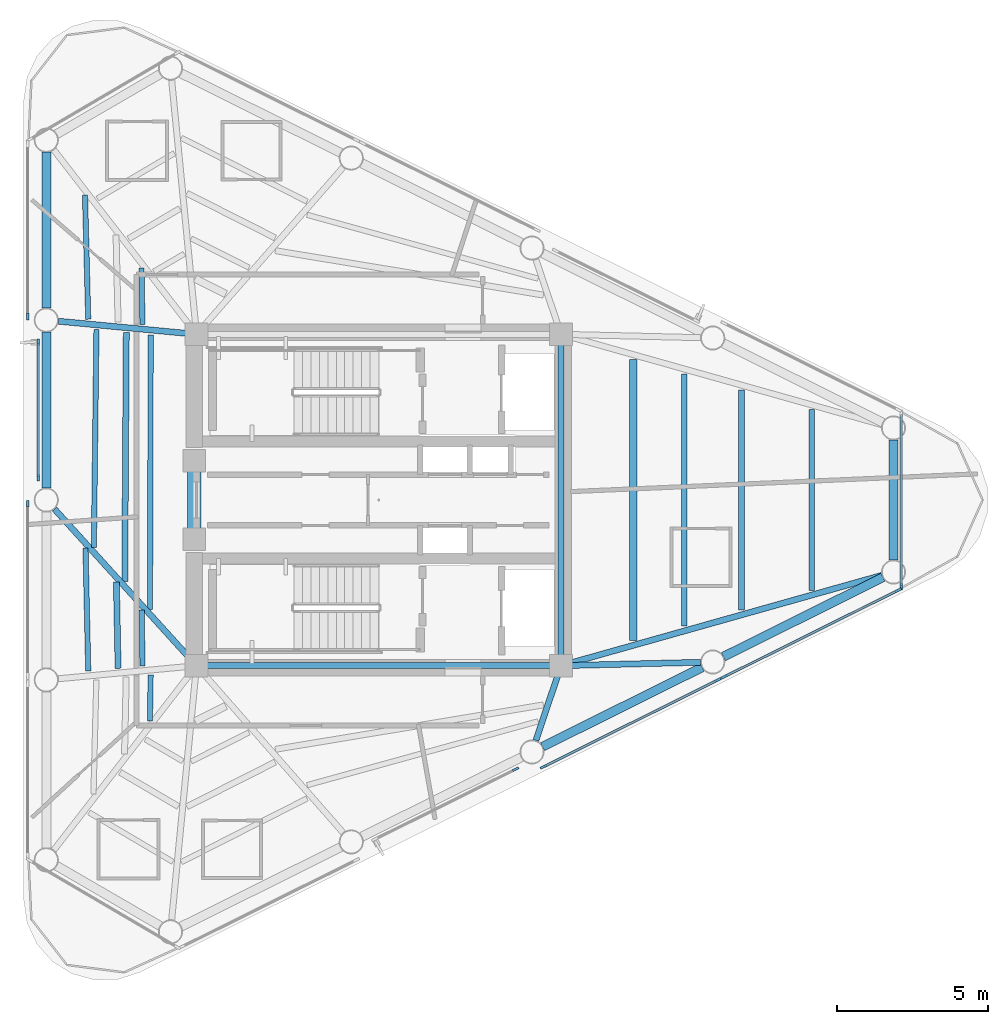
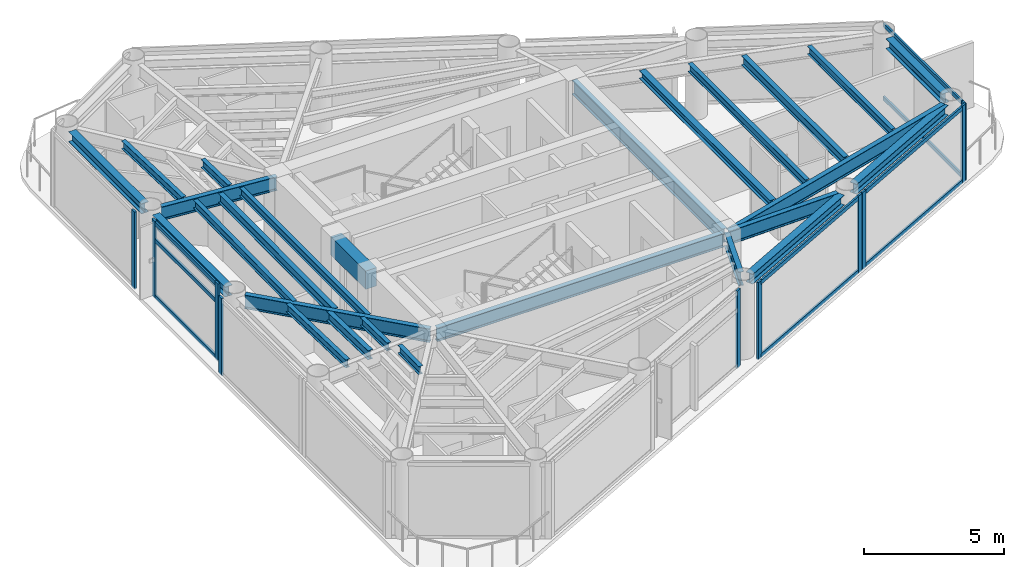
# One storey, part 2 of 10: 26 beams, 19 members, 7 elements without a shape of their own.
"""IFC4 building model written with IfcOpenShell, lengths in metres."""

from ifc_helpers import new_model, si_unit, direction, frame, origin, origin_2d, place, context, subcontext, project, spatial, rectangle, i_section, extrude, source, transform, mapped, material, layer, layer_set, material_profile, profile_set, type_object, element, aggregate, save


model = new_model("IFC4")

# Units and contexts
model_context = context("Model", 3, precision=1e-05, world=origin(), true_north=direction((0.0, 1.0)))
body_context = subcontext(model_context, "Body", "Model", "MODEL_VIEW")
ifc_project = project(units=[si_unit("LENGTHUNIT", "METRE"), si_unit("AREAUNIT", "SQUARE_METRE"), si_unit("VOLUMEUNIT", "CUBIC_METRE"), si_unit("PLANEANGLEUNIT", "RADIAN"), si_unit("MASSUNIT", "GRAM", prefix="KILO")], contexts=[model_context])

# Site, building, storey
site_placement = place(None, origin())
site = spatial("IfcSite", under=ifc_project, at=site_placement, CompositionType="ELEMENT")
building_placement = place(site_placement, origin())
building = spatial("IfcBuilding", under=site, at=building_placement, Name="Yunling Apex Tower", CompositionType="ELEMENT")
storey_placement = place(building_placement, frame((0.0, 0.0, 303.64990234375)))
storey = spatial("IfcBuildingStorey", under=building, at=storey_placement, Name="L74", CompositionType="ELEMENT", Elevation=303.64990234375)

# Beams
ifc_material_1 = material(Name="Concrete C40", Category="concrete")
ifc_material_profile_1 = material_profile(ifc_material_1, rectangle(XDim=0.449951171875, YDim=0.800048828125, at=origin_2d()))
ifc_profile_set_1 = profile_set([ifc_material_profile_1], Name="Concrete C40")
beam_type_1 = type_object("IfcBeamType", Name="BC-CPL-3", PredefinedType="BEAM", material=ifc_profile_set_1)
shared_shape_1 = source(origin(), body_context, "Body", "SweptSolid", [
    extrude(rectangle(XDim=0.449951171875, YDim=0.800048828125, at=origin_2d()), origin(), (0.0, 0.0, 1.0), 2.5),
])
beam_1_placement = place(storey_placement, frame((-6.125, -1.25, 2.8701171875), z_axis=(0.0, 1.0, 0.0), x_axis=(-1.0, 0.0, 0.0)))
element("IfcBeam", 1, at=beam_1_placement, inside=storey, type_object=beam_type_1, Name="L74 Core West Portal Coupling Beam", PredefinedType="BEAM", context=body_context, shape_type="MappedRepresentation", body=[
    mapped(shared_shape_1, transform((0.0, 0.0, 0.0), scale=1.0)),
])
ifc_material_2 = material(Name="Steel Q355B", Category="steel")
ifc_material_profile_2 = material_profile(ifc_material_2, i_section(OverallWidth=0.199951171875, OverallDepth=0.60009765625, WebThickness=0.010986328125, FlangeThickness=0.01708984375, FilletRadius=0.02197265625, at=origin_2d()))
ifc_profile_set_2 = profile_set([ifc_material_profile_2], Name="Steel Q355B")
beam_type_2 = type_object("IfcBeamType", Name="BG-PRI-5", PredefinedType="USERDEFINED", material=ifc_profile_set_2)
shared_shape_2 = source(origin(), body_context, "Body", "SweptSolid", [
    extrude(i_section(OverallWidth=0.199951171875, OverallDepth=0.60009765625, WebThickness=0.010986328125, FlangeThickness=0.01708984375, FilletRadius=0.02197265625, at=origin_2d()), origin(), (0.0, 0.0, 1.0), 11.7998046875),
])
beam_2_placement = place(storey_placement, frame((-5.89990234375, -5.5, 2.97021484375), z_axis=(1.0, 0.0, 0.0), x_axis=(0.0, 1.0, 0.0)))
element("IfcBeam", 2, at=beam_2_placement, inside=storey, type_object=beam_type_2, Name="L74 Core Ring Tie Beam 1", ObjectType="GIRDER", PredefinedType="USERDEFINED", context=body_context, shape_type="MappedRepresentation", body=[
    mapped(shared_shape_2, transform((0.0, 0.0, 0.0), scale=1.0)),
])
shared_shape_3 = source(origin(), body_context, "Body", "SweptSolid", [
    extrude(i_section(OverallWidth=0.199951171875, OverallDepth=0.60009765625, WebThickness=0.010986328125, FlangeThickness=0.01708984375, FilletRadius=0.02197265625, at=origin_2d()), origin(), (0.0, 0.0, 1.0), 10.7001953125),
])
beam_3_placement = place(storey_placement, frame((6.050048828125, -5.35009765625, 2.97021484375), z_axis=(0.0, 1.0, 0.0), x_axis=(-1.0, 0.0, 0.0)))
element("IfcBeam", 3, at=beam_3_placement, inside=storey, type_object=beam_type_2, Name="L74 Core Ring Tie Beam 2", ObjectType="GIRDER", PredefinedType="USERDEFINED", context=body_context, shape_type="MappedRepresentation", body=[
    mapped(shared_shape_3, transform((0.0, 0.0, 0.0), scale=1.0)),
])
ifc_material_profile_3 = material_profile(ifc_material_2, i_section(OverallWidth=0.300048828125, OverallDepth=0.43994140625, WebThickness=0.010986328125, FlangeThickness=0.01806640625, FilletRadius=0.02197265625, at=origin_2d()))
ifc_profile_set_3 = profile_set([ifc_material_profile_3], Name="Steel Q355B")
beam_type_3 = type_object("IfcBeamType", Name="BP-SPN-3", PredefinedType="SPANDREL", material=ifc_profile_set_3)
shared_shape_4 = source(origin(), body_context, "Body", "SweptSolid", [
    extrude(i_section(OverallWidth=0.300048828125, OverallDepth=0.43994140625, WebThickness=0.010986328125, FlangeThickness=0.01806640625, FilletRadius=0.02197265625, at=origin_2d()), origin(), (0.0, 0.0, 1.0), 5.9140625),
])
for number, where, z_axis, x_axis, name in (
    (4, (5.43896484375, -8.1884765625, 3.050048828125), (0.895259510924, 0.445545068539, 0.0), (-0.445545068539, 0.895259510924, 0.0), "L74 Perimeter Spandrel Beam 3"),
    (5, (11.439208984375, -5.2021484375, 3.050048828125), (0.895259510924, 0.445545068539, 0.0), (-0.445545068539, 0.895259510924, 0.0), "L74 Perimeter Spandrel Beam 4"),
):
    element("IfcBeam", number, at=place(storey_placement, frame(where, z_axis=z_axis, x_axis=x_axis)), inside=storey, type_object=beam_type_3, Name=name, PredefinedType="SPANDREL", context=body_context, shape_type="MappedRepresentation", body=[
        mapped(shared_shape_4, transform((0.0, 0.0, 0.0), scale=1.0)),
    ])
shared_shape_5 = source(origin(), body_context, "Body", "SweptSolid", [
    extrude(i_section(OverallWidth=0.300048828125, OverallDepth=0.43994140625, WebThickness=0.010986328125, FlangeThickness=0.01806640625, FilletRadius=0.02197265625, at=origin_2d()), origin(), (0.0, 0.0, 1.0), 3.9951171875),
])
beam_4_placement = place(storey_placement, frame((17.086669921875, -1.99755859375, 3.050048828125), z_axis=(0.0, 1.0, 0.0), x_axis=(-1.0, 0.0, 0.0)))
element("IfcBeam", 6, at=beam_4_placement, inside=storey, type_object=beam_type_3, Name="L74 Perimeter Spandrel Beam 5", PredefinedType="SPANDREL", context=body_context, shape_type="MappedRepresentation", body=[
    mapped(shared_shape_5, transform((0.0, 0.0, 0.0), scale=1.0)),
])
shared_shape_6 = source(origin(), body_context, "Body", "SweptSolid", [
    extrude(i_section(OverallWidth=0.300048828125, OverallDepth=0.43994140625, WebThickness=0.010986328125, FlangeThickness=0.01806640625, FilletRadius=0.02197265625, at=origin_2d()), origin(), (0.0, 0.0, 1.0), 5.1845703125),
])
for number, where, z_axis, x_axis, name in (
    (7, (-11.037353515625, 11.55126953125, 3.050048828125), (0.0, -1.0, 0.0), (1.0, 0.0, 0.0), "L74 Perimeter Spandrel Beam 11"),
    (8, (-11.037353515625, 5.57861328125, 3.050048828125), (0.0, -1.0, 0.0), (1.0, 0.0, 0.0), "L74 Perimeter Spandrel Beam 12"),
):
    element("IfcBeam", number, at=place(storey_placement, frame(where, z_axis=z_axis, x_axis=x_axis)), inside=storey, type_object=beam_type_3, Name=name, PredefinedType="SPANDREL", context=body_context, shape_type="MappedRepresentation", body=[
        mapped(shared_shape_6, transform((0.0, 0.0, 0.0), scale=1.0)),
    ])
shared_shape_7 = source(origin(), body_context, "Body", "SweptSolid", [
    extrude(i_section(OverallWidth=0.199951171875, OverallDepth=0.60009765625, WebThickness=0.010986328125, FlangeThickness=0.01708984375, FilletRadius=0.02197265625, at=origin_2d()), origin(), (0.0, 0.0, 1.0), 2.533935546875),
])
beam_5_placement = place(storey_placement, frame((5.21630859375, -7.977294921875, 2.97021484375), z_axis=(0.318914628896, 0.947783445454, 0.0), x_axis=(-0.947783445454, 0.318914628896, 0.0)))
element("IfcBeam", 9, at=beam_5_placement, inside=storey, type_object=beam_type_2, Name="L74 Radial Primary Girder R03", ObjectType="GIRDER", PredefinedType="USERDEFINED", context=body_context, shape_type="MappedRepresentation", body=[
    mapped(shared_shape_7, transform((0.0, 0.0, 0.0), scale=1.0)),
])
shared_shape_8 = source(origin(), body_context, "Body", "SweptSolid", [
    extrude(i_section(OverallWidth=0.199951171875, OverallDepth=0.60009765625, WebThickness=0.010986328125, FlangeThickness=0.01708984375, FilletRadius=0.02197265625, at=origin_2d()), origin(), (0.0, 0.0, 1.0), 4.5498046875),
])
beam_6_placement = place(storey_placement, frame((10.678466796875, -5.3876953125, 2.97021484375), z_axis=(-0.999705840498, -0.024253504369, 0.0), x_axis=(0.024253504369, -0.999705840498, 0.0)))
element("IfcBeam", 10, at=beam_6_placement, inside=storey, type_object=beam_type_2, Name="L74 Radial Primary Girder R04", ObjectType="GIRDER", PredefinedType="USERDEFINED", context=body_context, shape_type="MappedRepresentation", body=[
    mapped(shared_shape_8, transform((0.0, 0.0, 0.0), scale=1.0)),
])
shared_shape_9 = source(origin(), body_context, "Body", "SweptSolid", [
    extrude(i_section(OverallWidth=0.199951171875, OverallDepth=0.60009765625, WebThickness=0.010986328125, FlangeThickness=0.01708984375, FilletRadius=0.02197265625, at=origin_2d()), origin(), (0.0, 0.0, 1.0), 10.97802734375),
])
beam_7_placement = place(storey_placement, frame((16.69384765625, -2.502197265625, 2.97021484375), z_axis=(-0.962552702816, -0.271094622414, 0.0), x_axis=(0.271094622414, -0.962552702816, 0.0)))
element("IfcBeam", 11, at=beam_7_placement, inside=storey, type_object=beam_type_2, Name="L74 Radial Primary Girder R05", ObjectType="GIRDER", PredefinedType="USERDEFINED", context=body_context, shape_type="MappedRepresentation", body=[
    mapped(shared_shape_9, transform((0.0, 0.0, 0.0), scale=1.0)),
])
shared_shape_10 = source(origin(), body_context, "Body", "SweptSolid", [
    extrude(i_section(OverallWidth=0.199951171875, OverallDepth=0.60009765625, WebThickness=0.010986328125, FlangeThickness=0.01708984375, FilletRadius=0.02197265625, at=origin_2d()), origin(), (0.0, 0.0, 1.0), 4.521728515625),
])
beam_8_placement = place(storey_placement, frame((-10.631103515625, 5.93408203125, 2.97021484375), z_axis=(0.99554122067, -0.094327503661, 0.0), x_axis=(0.094327503661, 0.99554122067, 0.0)))
element("IfcBeam", 12, at=beam_8_placement, inside=storey, type_object=beam_type_2, Name="L74 Radial Primary Girder R12", ObjectType="GIRDER", PredefinedType="USERDEFINED", context=body_context, shape_type="MappedRepresentation", body=[
    mapped(shared_shape_10, transform((0.0, 0.0, 0.0), scale=1.0)),
])
shared_shape_11 = source(origin(), body_context, "Body", "SweptSolid", [
    extrude(i_section(OverallWidth=0.199951171875, OverallDepth=0.60009765625, WebThickness=0.010986328125, FlangeThickness=0.01708984375, FilletRadius=0.02197265625, at=origin_2d()), origin(), (0.0, 0.0, 1.0), 6.9365234375),
])
beam_9_placement = place(storey_placement, frame((-10.76318359375, -0.30224609375, 2.97021484375), z_axis=(0.671734994532, -0.740791534185, 0.0), x_axis=(0.740791534185, 0.671734994532, 0.0)))
element("IfcBeam", 13, at=beam_9_placement, inside=storey, type_object=beam_type_2, Name="L74 Radial Primary Girder R13", ObjectType="GIRDER", PredefinedType="USERDEFINED", context=body_context, shape_type="MappedRepresentation", body=[
    mapped(shared_shape_11, transform((0.0, 0.0, 0.0), scale=1.0)),
])
ifc_material_profile_4 = material_profile(ifc_material_2, i_section(OverallWidth=0.199951171875, OverallDepth=0.39990234375, WebThickness=0.008056640625, FlangeThickness=0.012939453125, FilletRadius=0.01611328125, at=origin_2d()))
ifc_profile_set_4 = profile_set([ifc_material_profile_4], Name="Steel Q355B")
beam_type_4 = type_object("IfcBeamType", Name="BS-SEC-4", PredefinedType="BEAM", material=ifc_profile_set_4)
shared_shape_12 = source(origin(), body_context, "Body", "SweptSolid", [
    extrude(i_section(OverallWidth=0.199951171875, OverallDepth=0.39990234375, WebThickness=0.008056640625, FlangeThickness=0.012939453125, FilletRadius=0.01611328125, at=origin_2d()), origin(), (0.0, 0.0, 1.0), 7.30322265625),
])
beam_10_placement = place(storey_placement, frame((12.04443359375, -3.651611328125, 3.070068359375), z_axis=(0.0, 1.0, 0.0), x_axis=(-1.0, 0.0, 0.0)))
element("IfcBeam", 14, at=beam_10_placement, inside=storey, type_object=beam_type_4, Name="L74 Composite Floor Beam BS-5", PredefinedType="BEAM", context=body_context, shape_type="MappedRepresentation", body=[
    mapped(shared_shape_12, transform((0.0, 0.0, 0.0), scale=1.0)),
])
ifc_material_profile_5 = material_profile(ifc_material_2, i_section(OverallWidth=0.175048828125, OverallDepth=0.35009765625, WebThickness=0.007080078125, FlangeThickness=0.010986328125, FilletRadius=0.013916015625, at=origin_2d()))
ifc_profile_set_5 = profile_set([ifc_material_profile_5], Name="Steel Q355B")
beam_type_5 = type_object("IfcBeamType", Name="BJ-JST-1", PredefinedType="JOIST", material=ifc_profile_set_5)
shared_shape_13 = source(origin(), body_context, "Body", "SweptSolid", [
    extrude(i_section(OverallWidth=0.175048828125, OverallDepth=0.35009765625, WebThickness=0.007080078125, FlangeThickness=0.010986328125, FilletRadius=0.013916015625, at=origin_2d()), origin(), (0.0, 0.0, 1.0), 5.99365234375),
])
beam_11_placement = place(storey_placement, frame((14.369140625, -2.996826171875, 3.09521484375), z_axis=(0.0, 1.0, 0.0), x_axis=(-1.0, 0.0, 0.0)))
element("IfcBeam", 15, at=beam_11_placement, inside=storey, type_object=beam_type_5, Name="L74 Composite Floor Joist BJ1-5", PredefinedType="JOIST", context=body_context, shape_type="MappedRepresentation", body=[
    mapped(shared_shape_13, transform((0.0, 0.0, 0.0), scale=1.0)),
])
shared_shape_14 = source(origin(), body_context, "Body", "SweptSolid", [
    extrude(i_section(OverallWidth=0.175048828125, OverallDepth=0.35009765625, WebThickness=0.007080078125, FlangeThickness=0.010986328125, FilletRadius=0.013916015625, at=origin_2d()), origin(), (0.0, 0.0, 1.0), 8.37451171875),
])
beam_12_placement = place(storey_placement, frame((10.142333984375, -4.187255859375, 3.09521484375), z_axis=(0.0, 1.0, 0.0), x_axis=(-1.0, 0.0, 0.0)))
element("IfcBeam", 16, at=beam_12_placement, inside=storey, type_object=beam_type_5, Name="L74 Composite Floor Joist BJ3-5", PredefinedType="JOIST", context=body_context, shape_type="MappedRepresentation", body=[
    mapped(shared_shape_14, transform((0.0, 0.0, 0.0), scale=1.0)),
])
ifc_material_profile_6 = material_profile(ifc_material_2, i_section(OverallWidth=0.25, OverallDepth=0.340087890625, WebThickness=0.009033203125, FlangeThickness=0.013916015625, FilletRadius=0.01806640625, at=origin_2d()))
ifc_profile_set_6 = profile_set([ifc_material_profile_6], Name="Steel Q355B")
beam_type_6 = type_object("IfcBeamType", Name="BJ-JST-2", PredefinedType="JOIST", material=ifc_profile_set_6)
shared_shape_15 = source(origin(), body_context, "Body", "SweptSolid", [
    extrude(i_section(OverallWidth=0.25, OverallDepth=0.340087890625, WebThickness=0.009033203125, FlangeThickness=0.013916015625, FilletRadius=0.01806640625, at=origin_2d()), origin(), (0.0, 0.0, 1.0), 9.3271484375),
])
beam_13_placement = place(storey_placement, frame((8.45166015625, -4.66357421875, 3.10009765625), z_axis=(0.0, 1.0, 0.0), x_axis=(-1.0, 0.0, 0.0)))
element("IfcBeam", 17, at=beam_13_placement, inside=storey, type_object=beam_type_6, Name="L74 Composite Floor Joist BJ2-5", PredefinedType="JOIST", context=body_context, shape_type="MappedRepresentation", body=[
    mapped(shared_shape_15, transform((0.0, 0.0, 0.0), scale=1.0)),
])
shared_shape_16 = source(origin(), body_context, "Body", "SweptSolid", [
    extrude(i_section(OverallWidth=0.175048828125, OverallDepth=0.35009765625, WebThickness=0.007080078125, FlangeThickness=0.010986328125, FilletRadius=0.013916015625, at=origin_2d()), origin(), (0.0, 0.0, 1.0), 4.130859375),
])
beam_14_placement = place(storey_placement, frame((-9.751953125, 10.129638671875, 3.09521484375), z_axis=(0.025887029391, -0.9996648747, 0.0), x_axis=(0.9996648747, 0.025887029391, 0.0)))
element("IfcBeam", 18, at=beam_14_placement, inside=storey, type_object=beam_type_5, Name="L74 Composite Floor Joist BJ1-11", PredefinedType="JOIST", context=body_context, shape_type="MappedRepresentation", body=[
    mapped(shared_shape_16, transform((0.0, 0.0, 0.0), scale=1.0)),
])
shared_shape_17 = source(origin(), body_context, "Body", "SweptSolid", [
    extrude(i_section(OverallWidth=0.175048828125, OverallDepth=0.35009765625, WebThickness=0.007080078125, FlangeThickness=0.010986328125, FilletRadius=0.013916015625, at=origin_2d()), origin(), (0.0, 0.0, 1.0), 1.87646484375),
])
beam_15_placement = place(storey_placement, frame((-7.877685546875, 7.705810546875, 3.09521484375), z_axis=(0.01847440018, -0.999829333705, 0.0), x_axis=(0.999829333705, 0.01847440018, 0.0)))
element("IfcBeam", 19, at=beam_15_placement, inside=storey, type_object=beam_type_5, Name="L74 Composite Floor Joist BJ3-11", PredefinedType="JOIST", context=body_context, shape_type="MappedRepresentation", body=[
    mapped(shared_shape_17, transform((0.0, 0.0, 0.0), scale=1.0)),
])
shared_shape_18 = source(origin(), body_context, "Body", "SweptSolid", [
    extrude(i_section(OverallWidth=0.199951171875, OverallDepth=0.39990234375, WebThickness=0.008056640625, FlangeThickness=0.012939453125, FilletRadius=0.01611328125, at=origin_2d()), origin(), (0.0, 0.0, 1.0), 8.2724609375),
])
beam_16_placement = place(storey_placement, frame((-8.38134765625, 5.560791015625, 3.070068359375), z_axis=(-0.006197679272, -0.999980794201, 0.0), x_axis=(0.999980794201, -0.006197679272, 0.0)))
element("IfcBeam", 20, at=beam_16_placement, inside=storey, type_object=beam_type_4, Name="L74 Composite Floor Beam BS-12", PredefinedType="BEAM", context=body_context, shape_type="MappedRepresentation", body=[
    mapped(shared_shape_18, transform((0.0, 0.0, 0.0), scale=1.0)),
])
shared_shape_19 = source(origin(), body_context, "Body", "SweptSolid", [
    extrude(i_section(OverallWidth=0.175048828125, OverallDepth=0.35009765625, WebThickness=0.007080078125, FlangeThickness=0.010986328125, FilletRadius=0.013916015625, at=origin_2d()), origin(), (0.0, 0.0, 1.0), 7.236328125),
])
beam_17_placement = place(storey_placement, frame((-9.37255859375, 5.65478515625, 3.09521484375), z_axis=(-0.011639673006, -0.999932256712, 0.0), x_axis=(0.999932256712, -0.011639673006, 0.0)))
element("IfcBeam", 21, at=beam_17_placement, inside=storey, type_object=beam_type_5, Name="L74 Composite Floor Joist BJ1-12", PredefinedType="JOIST", context=body_context, shape_type="MappedRepresentation", body=[
    mapped(shared_shape_19, transform((0.0, 0.0, 0.0), scale=1.0)),
])
shared_shape_20 = source(origin(), body_context, "Body", "SweptSolid", [
    extrude(i_section(OverallWidth=0.175048828125, OverallDepth=0.35009765625, WebThickness=0.007080078125, FlangeThickness=0.010986328125, FilletRadius=0.013916015625, at=origin_2d()), origin(), (0.0, 0.0, 1.0), 9.120361328125),
])
beam_18_placement = place(storey_placement, frame((-7.570556640625, 5.48388671875, 3.09521484375), z_axis=(-0.002596559494, -0.999996628934, 0.0), x_axis=(0.999996628934, -0.002596559494, 0.0)))
element("IfcBeam", 22, at=beam_18_placement, inside=storey, type_object=beam_type_5, Name="L74 Composite Floor Joist BJ3-12", PredefinedType="JOIST", context=body_context, shape_type="MappedRepresentation", body=[
    mapped(shared_shape_20, transform((0.0, 0.0, 0.0), scale=1.0)),
])
shared_shape_21 = source(origin(), body_context, "Body", "SweptSolid", [
    extrude(i_section(OverallWidth=0.199951171875, OverallDepth=0.39990234375, WebThickness=0.008056640625, FlangeThickness=0.012939453125, FilletRadius=0.01611328125, at=origin_2d()), origin(), (0.0, 0.0, 1.0), 2.86376953125),
])
beam_19_placement = place(storey_placement, frame((-8.7099609375, -2.72314453125, 3.070068359375), z_axis=(0.019692633422, -0.999806081292, 0.0), x_axis=(0.999806081292, 0.019692633422, 0.0)))
element("IfcBeam", 23, at=beam_19_placement, inside=storey, type_object=beam_type_4, Name="L74 Composite Floor Beam BS-13", PredefinedType="BEAM", context=body_context, shape_type="MappedRepresentation", body=[
    mapped(shared_shape_21, transform((0.0, 0.0, 0.0), scale=1.0)),
])
shared_shape_22 = source(origin(), body_context, "Body", "SweptSolid", [
    extrude(i_section(OverallWidth=0.175048828125, OverallDepth=0.35009765625, WebThickness=0.007080078125, FlangeThickness=0.010986328125, FilletRadius=0.013916015625, at=origin_2d()), origin(), (0.0, 0.0, 1.0), 4.0888671875),
])
beam_20_placement = place(storey_placement, frame((-9.734619140625, -1.592529296875, 3.09521484375), z_axis=(0.022092074649, -0.999755940336, 0.0), x_axis=(0.999755940336, 0.022092074649, 0.0)))
element("IfcBeam", 24, at=beam_20_placement, inside=storey, type_object=beam_type_5, Name="L74 Composite Floor Joist BJ1-13", PredefinedType="JOIST", context=body_context, shape_type="MappedRepresentation", body=[
    mapped(shared_shape_22, transform((0.0, 0.0, 0.0), scale=1.0)),
])
shared_shape_23 = source(origin(), body_context, "Body", "SweptSolid", [
    extrude(i_section(OverallWidth=0.175048828125, OverallDepth=0.35009765625, WebThickness=0.007080078125, FlangeThickness=0.010986328125, FilletRadius=0.013916015625, at=origin_2d()), origin(), (0.0, 0.0, 1.0), 1.861572265625),
])
beam_21_placement = place(storey_placement, frame((-7.871826171875, -3.648193359375, 3.09521484375), z_axis=(0.015606703404, -0.999878207988, 0.0), x_axis=(0.999878207988, 0.015606703404, 0.0)))
element("IfcBeam", 25, at=beam_21_placement, inside=storey, type_object=beam_type_5, Name="L74 Composite Floor Joist BJ3-13", PredefinedType="JOIST", context=body_context, shape_type="MappedRepresentation", body=[
    mapped(shared_shape_23, transform((0.0, 0.0, 0.0), scale=1.0)),
])
shared_shape_24 = source(origin(), body_context, "Body", "SweptSolid", [
    extrude(i_section(OverallWidth=0.175048828125, OverallDepth=0.35009765625, WebThickness=0.007080078125, FlangeThickness=0.010986328125, FilletRadius=0.013916015625, at=origin_2d()), origin(), (0.0, 0.0, 1.0), 1.53857421875),
])
beam_22_placement = place(storey_placement, frame((-7.572509765625, -5.803955078125, 3.09521484375), z_axis=(-0.015709852828, -0.999876592647, 0.0), x_axis=(0.999876592647, -0.015709852828, 0.0)))
element("IfcBeam", 26, at=beam_22_placement, inside=storey, type_object=beam_type_5, Name="L74 Composite Floor Joist BJ3-14", PredefinedType="JOIST", context=body_context, shape_type="MappedRepresentation", body=[
    mapped(shared_shape_24, transform((0.0, 0.0, 0.0), scale=1.0)),
])

# Curtain wall, member
ifc_material_3 = material(Name="Bronze anodised aluminium", Category="aluminium")
ifc_layer = layer(ifc_material_3, 0.219970703125)
ifc_layer_set = layer_set([ifc_layer], Name="Bronze anodised aluminium")
curtain_wall_type = type_object("IfcCurtainWallType", Name="CW-SYS-4", PredefinedType="NOTDEFINED", material=ifc_layer_set)
curtain_wall_1_placement = place(storey_placement, origin())
curtain_wall_1 = element("IfcCurtainWall", 27, at=curtain_wall_1_placement, inside=storey, type_object=curtain_wall_type, Name="CW-L74-F1-B2", PredefinedType="NOTDEFINED")
ifc_material_profile_7 = material_profile(ifc_material_3, rectangle(XDim=0.080078125, YDim=0.219970703125, at=origin_2d()))
ifc_profile_set_7 = profile_set([ifc_material_profile_7], Name="Bronze anodised aluminium")
member_type_1 = type_object("IfcMemberType", Name="CW-MUL-4", PredefinedType="MULLION", material=ifc_profile_set_7)
shared_shape_25 = source(origin(), body_context, "Body", "SweptSolid", [
    extrude(rectangle(XDim=0.080078125, YDim=0.219970703125, at=origin_2d()), origin(), (0.0, 0.0, 1.0), 3.369873046875),
])
member_1_placement = place(storey_placement, frame((4.544189453125, -8.935546875, -0.0498046875), z_axis=(0.0, 0.0, 1.0), x_axis=(-0.445560721723, 0.895251720611, 0.0)))
member_1 = element("IfcMember", 28, at=member_1_placement, type_object=member_type_1, Name="CW-SYS-4 mullion 2", PredefinedType="MULLION", context=body_context, shape_type="MappedRepresentation", body=[
    mapped(shared_shape_25, transform((0.0, 0.0, 0.0), scale=1.0)),
])
aggregate(curtain_wall_1, [member_1])

# Curtain wall, members
curtain_wall_2_placement = place(storey_placement, origin())
curtain_wall_2 = element("IfcCurtainWall", 29, at=curtain_wall_2_placement, inside=storey, type_object=curtain_wall_type, Name="CW-L74-F1-B3", PredefinedType="NOTDEFINED")
member_2_placement = place(storey_placement, frame((5.465576171875, -8.856689453125, -0.0498046875), z_axis=(0.0, 0.0, 1.0), x_axis=(-0.445580385698, 0.895241933715, 0.0)))
member_2 = element("IfcMember", 30, at=member_2_placement, type_object=member_type_1, Name="CW-SYS-4 mullion 1", PredefinedType="MULLION", context=body_context, shape_type="MappedRepresentation", body=[
    mapped(shared_shape_25, transform((0.0, 0.0, 0.0), scale=1.0)),
])
member_3_placement = place(storey_placement, frame((11.250732421875, -5.977294921875, -0.0498046875), z_axis=(0.0, 0.0, 1.0), x_axis=(-0.445580385698, 0.895241933715, 0.0)))
member_3 = element("IfcMember", 31, at=member_3_placement, type_object=member_type_1, Name="CW-SYS-4 mullion 2", PredefinedType="MULLION", context=body_context, shape_type="MappedRepresentation", body=[
    mapped(shared_shape_25, transform((0.0, 0.0, 0.0), scale=1.0)),
])

curtain_wall_3_placement = place(storey_placement, origin())
curtain_wall_3 = element("IfcCurtainWall", 32, at=curtain_wall_3_placement, inside=storey, type_object=curtain_wall_type, Name="CW-L74-F1-B4", PredefinedType="NOTDEFINED")
member_4_placement = place(storey_placement, frame((11.465576171875, -5.870361328125, -0.0498046875), z_axis=(0.0, 0.0, 1.0), x_axis=(-0.445568135078, 0.895248030996, 0.0)))
member_4 = element("IfcMember", 33, at=member_4_placement, type_object=member_type_1, Name="CW-SYS-4 mullion 1", PredefinedType="MULLION", context=body_context, shape_type="MappedRepresentation", body=[
    mapped(shared_shape_25, transform((0.0, 0.0, 0.0), scale=1.0)),
])
member_5_placement = place(storey_placement, frame((17.2509765625, -2.990966796875, -0.0498046875), z_axis=(0.0, 0.0, 1.0), x_axis=(-0.445568135078, 0.895248030996, 0.0)))
member_5 = element("IfcMember", 34, at=member_5_placement, type_object=member_type_1, Name="CW-SYS-4 mullion 2", PredefinedType="MULLION", context=body_context, shape_type="MappedRepresentation", body=[
    mapped(shared_shape_25, transform((0.0, 0.0, 0.0), scale=1.0)),
])

# Curtain wall, member
curtain_wall_4_placement = place(storey_placement, origin())
curtain_wall_4 = element("IfcCurtainWall", 35, at=curtain_wall_4_placement, inside=storey, type_object=curtain_wall_type, Name="CW-L74-CRN1", PredefinedType="NOTDEFINED")
member_6_placement = place(storey_placement, frame((17.349365234375, -2.879638671875, -0.0498046875), z_axis=(0.0, 0.0, 1.0), x_axis=(-1.0, 0.0, 0.0)))
member_6 = element("IfcMember", 36, at=member_6_placement, type_object=member_type_1, Name="CW-SYS-4 mullion 1", PredefinedType="MULLION", context=body_context, shape_type="MappedRepresentation", body=[
    mapped(shared_shape_25, transform((0.0, 0.0, 0.0), scale=1.0)),
])

curtain_wall_5_placement = place(storey_placement, origin())
curtain_wall_5 = element("IfcCurtainWall", 37, at=curtain_wall_5_placement, inside=storey, type_object=curtain_wall_type, Name="CW-L74-F3-B1", PredefinedType="NOTDEFINED")
member_7_placement = place(storey_placement, frame((-11.647216796875, 6.092529296875, -0.0498046875), z_axis=(0.0, 0.0, 1.0), x_axis=(1.0, 0.0, 0.0)))
member_7 = element("IfcMember", 38, at=member_7_placement, type_object=member_type_1, Name="CW-SYS-4 mullion 2", PredefinedType="MULLION", context=body_context, shape_type="MappedRepresentation", body=[
    mapped(shared_shape_25, transform((0.0, 0.0, 0.0), scale=1.0)),
])
aggregate(curtain_wall_5, [member_7])

# Curtain wall, members
curtain_wall_6_placement = place(storey_placement, origin())
curtain_wall_6 = element("IfcCurtainWall", 39, at=curtain_wall_6_placement, inside=storey, type_object=curtain_wall_type, Name="CW-L74-F3-B2", PredefinedType="NOTDEFINED")
member_8_placement = place(storey_placement, frame((-11.307373046875, 5.232666015625, -0.0498046875), z_axis=(0.0, 0.0, 1.0), x_axis=(1.0, 0.0, 0.0)))
member_8 = element("IfcMember", 40, at=member_8_placement, type_object=member_type_1, Name="CW-SYS-4 mullion 1", PredefinedType="MULLION", context=body_context, shape_type="MappedRepresentation", body=[
    mapped(shared_shape_25, transform((0.0, 0.0, 0.0), scale=1.0)),
])
member_9_placement = place(storey_placement, frame((-11.307373046875, 0.739990234375, -0.0498046875), z_axis=(0.0, 0.0, 1.0), x_axis=(1.0, 0.0, 0.0)))
member_9 = element("IfcMember", 41, at=member_9_placement, type_object=member_type_1, Name="CW-SYS-4 mullion 2", PredefinedType="MULLION", context=body_context, shape_type="MappedRepresentation", body=[
    mapped(shared_shape_25, transform((0.0, 0.0, 0.0), scale=1.0)),
])

# Curtain wall, member
curtain_wall_7_placement = place(storey_placement, origin())
curtain_wall_7 = element("IfcCurtainWall", 42, at=curtain_wall_7_placement, inside=storey, type_object=curtain_wall_type, Name="CW-L74-F3-B3", PredefinedType="NOTDEFINED")
member_10_placement = place(storey_placement, frame((-11.647216796875, -0.1201171875, -0.0498046875), z_axis=(0.0, 0.0, 1.0), x_axis=(1.0, 0.0, 0.0)))
member_10 = element("IfcMember", 43, at=member_10_placement, type_object=member_type_1, Name="CW-SYS-4 mullion 1", PredefinedType="MULLION", context=body_context, shape_type="MappedRepresentation", body=[
    mapped(shared_shape_25, transform((0.0, 0.0, 0.0), scale=1.0)),
])
aggregate(curtain_wall_7, [member_10])

# Member
ifc_material_profile_8 = material_profile(ifc_material_3, rectangle(XDim=0.080078125, YDim=0.169921875, at=origin_2d()))
ifc_profile_set_8 = profile_set([ifc_material_profile_8], Name="Bronze anodised aluminium")
member_type_2 = type_object("IfcMemberType", Name="CW-TRN-4", PredefinedType="USERDEFINED", material=ifc_profile_set_8)
shared_shape_26 = source(origin(), body_context, "Body", "SweptSolid", [
    extrude(rectangle(XDim=0.080078125, YDim=0.169921875, at=origin_2d()), origin(), (0.0, 0.0, 1.0), 6.39013671875),
])
member_11_placement = place(storey_placement, frame((5.497802734375, -8.8408203125, 0.0400390625), z_axis=(0.895235684646, 0.445592940851, 0.0), x_axis=(-0.445592940851, 0.895235684646, 0.0)))
member_11 = element("IfcMember", 44, at=member_11_placement, type_object=member_type_2, Name="CW-SYS-4 transom 1.1", ObjectType="TRANSOM", PredefinedType="USERDEFINED", context=body_context, shape_type="MappedRepresentation", body=[
    mapped(shared_shape_26, transform((0.0, 0.0, 0.0), scale=1.0)),
])

member_12_placement = place(storey_placement, frame((5.497802734375, -8.8408203125, 3.22998046875), z_axis=(0.895235684646, 0.445592940851, 0.0), x_axis=(-0.445592940851, 0.895235684646, 0.0)))
member_12 = element("IfcMember", 45, at=member_12_placement, type_object=member_type_2, Name="CW-SYS-4 transom 1.2", ObjectType="TRANSOM", PredefinedType="USERDEFINED", context=body_context, shape_type="MappedRepresentation", body=[
    mapped(shared_shape_26, transform((0.0, 0.0, 0.0), scale=1.0)),
])

aggregate(curtain_wall_2, [member_2, member_3, member_11, member_12])

shared_shape_27 = source(origin(), body_context, "Body", "SweptSolid", [
    extrude(rectangle(XDim=0.080078125, YDim=0.169921875, at=origin_2d()), origin(), (0.0, 0.0, 1.0), 6.390380859375),
])
member_13_placement = place(storey_placement, frame((11.497802734375, -5.854248046875, 0.0400390625), z_axis=(0.895258509594, 0.445547080565, 0.0), x_axis=(-0.445547080565, 0.895258509594, 0.0)))
member_13 = element("IfcMember", 46, at=member_13_placement, type_object=member_type_2, Name="CW-SYS-4 transom 1.1", ObjectType="TRANSOM", PredefinedType="USERDEFINED", context=body_context, shape_type="MappedRepresentation", body=[
    mapped(shared_shape_27, transform((0.0, 0.0, 0.0), scale=1.0)),
])

member_14_placement = place(storey_placement, frame((11.497802734375, -5.854248046875, 3.22998046875), z_axis=(0.895258509594, 0.445547080565, 0.0), x_axis=(-0.445547080565, 0.895258509594, 0.0)))
member_14 = element("IfcMember", 47, at=member_14_placement, type_object=member_type_2, Name="CW-SYS-4 transom 1.2", ObjectType="TRANSOM", PredefinedType="USERDEFINED", context=body_context, shape_type="MappedRepresentation", body=[
    mapped(shared_shape_27, transform((0.0, 0.0, 0.0), scale=1.0)),
])

aggregate(curtain_wall_3, [member_4, member_5, member_13, member_14])

shared_shape_28 = source(origin(), body_context, "Body", "SweptSolid", [
    extrude(rectangle(XDim=0.080078125, YDim=0.169921875, at=origin_2d()), origin(), (0.0, 0.0, 1.0), 5.6875),
])
member_15_placement = place(storey_placement, frame((17.349365234375, -2.84375, 0.0400390625), z_axis=(0.0, 1.0, 0.0), x_axis=(-1.0, 0.0, 0.0)))
member_15 = element("IfcMember", 48, at=member_15_placement, type_object=member_type_2, Name="CW-SYS-4 transom 1.1", ObjectType="TRANSOM", PredefinedType="USERDEFINED", context=body_context, shape_type="MappedRepresentation", body=[
    mapped(shared_shape_28, transform((0.0, 0.0, 0.0), scale=1.0)),
])

member_16_placement = place(storey_placement, frame((17.349365234375, -2.84375, 3.22998046875), z_axis=(0.0, 1.0, 0.0), x_axis=(-1.0, 0.0, 0.0)))
member_16 = element("IfcMember", 49, at=member_16_placement, type_object=member_type_2, Name="CW-SYS-4 transom 1.2", ObjectType="TRANSOM", PredefinedType="USERDEFINED", context=body_context, shape_type="MappedRepresentation", body=[
    mapped(shared_shape_28, transform((0.0, 0.0, 0.0), scale=1.0)),
])

aggregate(curtain_wall_4, [member_6, member_15, member_16])

shared_shape_29 = source(origin(), body_context, "Body", "SweptSolid", [
    extrude(rectangle(XDim=0.080078125, YDim=0.169921875, at=origin_2d()), origin(), (0.0, 0.0, 1.0), 4.420654296875),
])
member_17_placement = place(storey_placement, frame((-11.307373046875, 5.196533203125, 0.0400390625), z_axis=(0.0, -1.0, 0.0), x_axis=(1.0, 0.0, 0.0)))
member_17 = element("IfcMember", 50, at=member_17_placement, type_object=member_type_2, Name="CW-SYS-4 transom 1.1", ObjectType="TRANSOM", PredefinedType="USERDEFINED", context=body_context, shape_type="MappedRepresentation", body=[
    mapped(shared_shape_29, transform((0.0, 0.0, 0.0), scale=1.0)),
])

member_18_placement = place(storey_placement, frame((-11.307373046875, 5.196533203125, 2.4853515625), z_axis=(0.0, -1.0, 0.0), x_axis=(1.0, 0.0, 0.0)))
member_18 = element("IfcMember", 51, at=member_18_placement, type_object=member_type_2, Name="CW-SYS-4 transom 1.2", ObjectType="TRANSOM", PredefinedType="USERDEFINED", context=body_context, shape_type="MappedRepresentation", body=[
    mapped(shared_shape_29, transform((0.0, 0.0, 0.0), scale=1.0)),
])

member_19_placement = place(storey_placement, frame((-11.307373046875, 5.196533203125, 3.22998046875), z_axis=(0.0, -1.0, 0.0), x_axis=(1.0, 0.0, 0.0)))
member_19 = element("IfcMember", 52, at=member_19_placement, type_object=member_type_2, Name="CW-SYS-4 transom 1.3", ObjectType="TRANSOM", PredefinedType="USERDEFINED", context=body_context, shape_type="MappedRepresentation", body=[
    mapped(shared_shape_29, transform((0.0, 0.0, 0.0), scale=1.0)),
])

aggregate(curtain_wall_6, [member_8, member_9, member_17, member_18, member_19])

save(model, "model.ifc")
